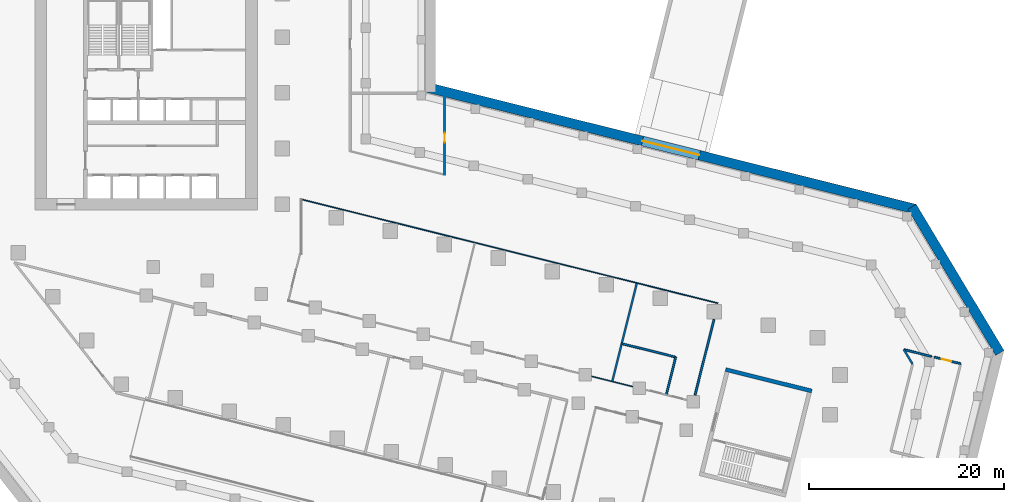
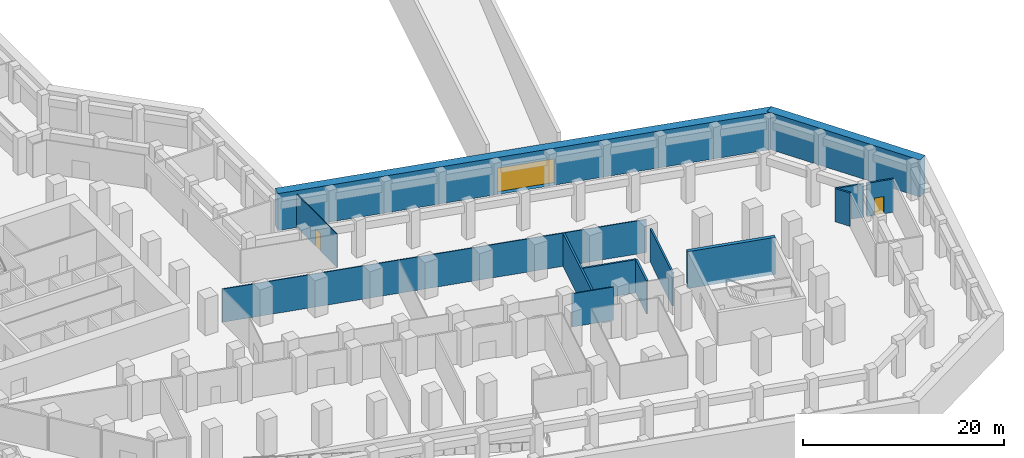
# One storey, part 8 of 14: 13 walls, 3 doors, 3 openings.
"""IFC4 building model written with IfcOpenShell, lengths in metres."""

from ifc_helpers import new_model, si_unit, direction, frame, frame_2d, origin, place, context, subcontext, project, spatial, rectangle, extrude, material, layer, layer_set, type_object, element, fill, save


model = new_model("IFC4")

# Units and contexts
model_context = context("Model", 3, precision=1e-05, world=origin(), true_north=direction((0.0, 1.0)))
body_context = subcontext(model_context, "Body", "Model", "MODEL_VIEW")
ifc_project = project(units=[si_unit("LENGTHUNIT", "METRE"), si_unit("AREAUNIT", "SQUARE_METRE"), si_unit("VOLUMEUNIT", "CUBIC_METRE"), si_unit("PLANEANGLEUNIT", "RADIAN"), si_unit("MASSUNIT", "GRAM", prefix="KILO")], contexts=[model_context])

# Site, building, storey
site_placement = place(None, origin())
site = spatial("IfcSite", under=ifc_project, at=site_placement, CompositionType="ELEMENT")
building_placement = place(site_placement, origin())
building = spatial("IfcBuilding", under=site, at=building_placement, Name="Meshkara Civic Tower", CompositionType="ELEMENT")
storey_placement = place(building_placement, frame((0.0, 0.0, -4.5)))
storey = spatial("IfcBuildingStorey", under=building, at=storey_placement, Name="B1", CompositionType="ELEMENT", Elevation=-4.5)

# Wall
ifc_material_1 = material(Name="Corridor wall 100")
ifc_layer_1 = layer(ifc_material_1, 0.10009765625)
ifc_layer_set_1 = layer_set([ifc_layer_1], Name="Corridor wall 100")
wall_type_1 = type_object("IfcWallType", Name="Corridor wall 100", PredefinedType="PARTITIONING", material=ifc_layer_set_1)
wall_1_placement = place(storey_placement, frame((35.300048828125, 15.212890625, 0.0), z_axis=(0.0, 0.0, 1.0), x_axis=(0.97028659585, -0.241958512796, 0.0)))
element("IfcWall", 1, at=wall_1_placement, inside=storey, type_object=wall_type_1, Name="B1-R053", PredefinedType="PARTITIONING", context=body_context, shape_type="SweptSolid", body=[
    extrude(rectangle(XDim=43.999267578125, YDim=0.10009765625, at=frame_2d((21.99951171875, 0.0))), origin(), (0.0, 0.0, 1.0), 4.050048828125),
])

# Wall, opening, door
wall_2_placement = place(storey_placement, frame((50.0, 26.1708984375, 0.0), z_axis=(0.0, 0.0, 1.0), x_axis=(0.0, -1.0, 0.0)))
wall_2 = element("IfcWall", 2, at=wall_2_placement, inside=storey, type_object=wall_type_1, Name="B1-R064", PredefinedType="PARTITIONING", context=body_context, shape_type="SweptSolid", body=[
    extrude(rectangle(XDim=8.43994140625, YDim=0.10009765625, at=frame_2d((4.219970703125, 0.0))), origin(), (0.0, 0.0, 1.0), 4.050048828125),
])
opening_1_placement = place(wall_2_placement, frame((4.14599609375, 0.0, 0.0)))
opening_1 = element("IfcOpeningElement", 3, at=opening_1_placement, cuts=wall_2, Name="Opening B1-P017", PredefinedType="OPENING", context=body_context, shape_type="SweptSolid", body=[
    extrude(rectangle(XDim=1.0, YDim=2.10009765625, at=frame_2d((0.5, 1.050048828125))), frame((0.0, 0.06005859375, 0.0), z_axis=(0.0, -1.0, 0.0), x_axis=(1.0, 0.0, 0.0)), (0.0, 0.0, 1.0), 0.1201171875),
])
ifc_material_2 = material(Name="Door 1000 x 2100")
door_type_1 = type_object("IfcDoorType", Name="Door 1000 x 2100", OperationType="SINGLE_SWING_LEFT", PredefinedType="DOOR", material=ifc_material_2)
door_1_placement = place(opening_1_placement, origin())
door_1 = element("IfcDoor", 4, at=door_1_placement, inside=storey, type_object=door_type_1, Name="B1-P017", OperationType="SINGLE_SWING_RIGHT", OverallHeight=2.10009765625, OverallWidth=1.0, PredefinedType="DOOR", context=body_context, shape_type="SweptSolid", body=[
    extrude(rectangle(XDim=1.0, YDim=2.10009765625, at=frame_2d((0.5, 1.050048828125))), frame((0.0, 0.02490234375, 0.0), z_axis=(0.0, -1.0, 0.0), x_axis=(1.0, 0.0, 0.0)), (0.0, 0.0, 1.0), 0.050048828125),
])
fill(opening_1, door_1)

# Wall
wall_3_placement = place(storey_placement, frame((65.06494140625, -2.927978515625, 0.0), z_axis=(0.0, 0.0, 1.0), x_axis=(0.970298563138, -0.241910517285, 0.0)))
element("IfcWall", 5, at=wall_3_placement, inside=storey, type_object=wall_type_1, Name="B1-R073", PredefinedType="PARTITIONING", context=body_context, shape_type="SweptSolid", body=[
    extrude(rectangle(XDim=4.3193359375, YDim=0.10009765625, at=frame_2d((2.15966796875, 0.0))), origin(), (0.0, 0.0, 1.0), 4.050048828125),
])

# Wall, opening, door
ifc_material_3 = material(Name="Concrete C50", Category="concrete")
ifc_layer_2 = layer(ifc_material_3, 1.0)
ifc_layer_set_2 = layer_set([ifc_layer_2], Name="Diaphragm wall 1000 C50")
wall_type_2 = type_object("IfcWallType", Name="Diaphragm wall 1000 C50", PredefinedType="SOLIDWALL", material=ifc_layer_set_2)
wall_4_placement = place(storey_placement, frame((48.1708984375, 26.689208984375, 0.0), z_axis=(0.0, 0.0, 1.0), x_axis=(0.970293913122, -0.241929167647, 0.0)))
wall_4 = element("IfcWall", 6, at=wall_4_placement, inside=storey, type_object=wall_type_2, Name="Basement perimeter wall", PredefinedType="SOLIDWALL", context=body_context, shape_type="SweptSolid", body=[
    extrude(rectangle(XDim=51.53271484375, YDim=1.0, at=frame_2d((25.766357421875, 0.0))), origin(), (0.0, 0.0, 1.0), 4.5),
])
opening_2_placement = place(wall_4_placement, frame((22.76611328125, 0.0, 0.0)))
opening_2 = element("IfcOpeningElement", 7, at=opening_2_placement, cuts=wall_4, Name="Opening B1-G001", PredefinedType="OPENING", context=body_context, shape_type="SweptSolid", body=[
    extrude(rectangle(XDim=6.0, YDim=3.199951171875, at=frame_2d((3.0, 1.60009765625))), frame((0.0, 0.510009765625, 0.0), z_axis=(0.0, -1.0, 0.0), x_axis=(1.0, 0.0, 0.0)), (0.0, 0.0, 1.0), 1.02001953125),
])
ifc_material_4 = material(Name="Steel S355", Category="steel")
door_type_2 = type_object("IfcDoorType", Name="VEHICLE SHUTTER 6000x3200", OperationType="ROLLINGUP", PredefinedType="GATE", material=ifc_material_4)
door_2_placement = place(opening_2_placement, origin())
door_2 = element("IfcDoor", 8, at=door_2_placement, inside=storey, type_object=door_type_2, Name="B1-G001", OperationType="ROLLINGUP", OverallHeight=3.199951171875, OverallWidth=6.0, PredefinedType="GATE", context=body_context, shape_type="SweptSolid", body=[
    extrude(rectangle(XDim=6.0, YDim=3.199951171875, at=frame_2d((3.0, 1.60009765625))), frame((0.0, 0.02490234375, 0.0), z_axis=(0.0, -1.0, 0.0), x_axis=(1.0, 0.0, 0.0)), (0.0, 0.0, 1.0), 0.050048828125),
])
fill(opening_2, door_2)

# Walls
wall_5_placement = place(storey_placement, frame((97.865234375, 14.449462890625, 0.0), z_axis=(0.0, 0.0, 1.0), x_axis=(0.515103948809, -0.857127716225, 0.0)))
element("IfcWall", 9, at=wall_5_placement, inside=storey, type_object=wall_type_2, Name="Basement perimeter wall", PredefinedType="SOLIDWALL", context=body_context, shape_type="SweptSolid", body=[
    extrude(rectangle(XDim=17.4697265625, YDim=1.0, at=frame_2d((8.73486328125, 0.0))), origin(), (0.0, 0.0, 1.0), 4.5),
])
ifc_material_5 = material(Name="Concrete C80", Category="concrete")
ifc_layer_3 = layer(ifc_material_5, 0.39990234375)
ifc_layer_set_3 = layer_set([ifc_layer_3], Name="End core ring wall 400 C80")
wall_type_3 = type_object("IfcWallType", Name="End core ring wall 400 C80", PredefinedType="SHEAR", material=ifc_layer_set_3)
wall_6_placement = place(storey_placement, frame((78.77197265625, -2.222900390625, -0.449951171875), z_axis=(0.0, 0.0, 1.0), x_axis=(0.970306400786, -0.241879078453, 0.0)))
element("IfcWall", 10, at=wall_6_placement, inside=storey, type_object=wall_type_3, Name="B1-C031", PredefinedType="SHEAR", context=body_context, shape_type="SweptSolid", body=[
    extrude(rectangle(XDim=9.100341796875, YDim=0.39990234375, at=frame_2d((4.55029296875, 0.0))), origin(), (0.0, 0.0, 1.0), 4.5),
])
ifc_material_6 = material(Name="Fire-rated wall 200")
ifc_layer_4 = layer(ifc_material_6, 0.199951171875)
ifc_layer_set_4 = layer_set([ifc_layer_4], Name="Fire-rated wall 200")
wall_type_4 = type_object("IfcWallType", Name="Fire-rated wall 200", PredefinedType="PARTITIONING", material=ifc_layer_set_4)
wall_7_placement = place(storey_placement, frame((77.5810546875, 2.9169921875, 0.0), z_axis=(0.0, 0.0, 1.0), x_axis=(-0.242040307875, -0.970266195105, 0.0)))
element("IfcWall", 11, at=wall_7_placement, inside=storey, type_object=wall_type_4, Name="B1-R079", PredefinedType="PARTITIONING", context=body_context, shape_type="SweptSolid", body=[
    extrude(rectangle(XDim=8.0029296875, YDim=0.199951171875, at=frame_2d((4.00146484375, 0.0))), origin(), (0.0, 0.0, 1.0), 4.050048828125),
])
wall_8_placement = place(storey_placement, frame((97.031005859375, -0.179931640625, 0.0), z_axis=(0.0, 0.0, 1.0), x_axis=(0.970288896733, -0.241949285754, 0.0)))
element("IfcWall", 12, at=wall_8_placement, inside=storey, type_object=wall_type_4, Name="B1-R081", PredefinedType="PARTITIONING", context=body_context, shape_type="SweptSolid", body=[
    extrude(rectangle(XDim=2.939453125, YDim=0.199951171875, at=frame_2d((1.4697265625, 0.0))), origin(), (0.0, 0.0, 1.0), 4.050048828125),
])
wall_9_placement = place(storey_placement, frame((97.925048828125, -1.6669921875, 0.0), z_axis=(0.0, 0.0, 1.0), x_axis=(-0.515261150265, 0.857033223993, 0.0)))
element("IfcWall", 13, at=wall_9_placement, inside=storey, type_object=wall_type_4, Name="B1-R082", PredefinedType="PARTITIONING", context=body_context, shape_type="SweptSolid", body=[
    extrude(rectangle(XDim=1.735107421875, YDim=0.199951171875, at=frame_2d((0.86767578125, 0.0))), origin(), (0.0, 0.0, 1.0), 4.050048828125),
])

# Wall, opening, door
wall_10_placement = place(storey_placement, frame((100.157958984375, -0.958984375, 0.0), z_axis=(0.0, 0.0, 1.0), x_axis=(0.970266134906, -0.242040549194, 0.0)))
wall_10 = element("IfcWall", 14, at=wall_10_placement, inside=storey, type_object=wall_type_4, Name="B1-R083", PredefinedType="PARTITIONING", context=body_context, shape_type="SweptSolid", body=[
    extrude(rectangle(XDim=2.784912109375, YDim=0.199951171875, at=frame_2d((1.392578125, 0.0))), origin(), (0.0, 0.0, 1.0), 4.050048828125),
])
opening_3_placement = place(wall_10_placement, frame((0.780029296875, 0.0, 0.0)))
opening_3 = element("IfcOpeningElement", 15, at=opening_3_placement, cuts=wall_10, Name="Opening B1-P010", PredefinedType="OPENING", context=body_context, shape_type="SweptSolid", body=[
    extrude(rectangle(XDim=1.0, YDim=2.10009765625, at=frame_2d((0.5, 1.050048828125))), frame((0.0, 0.10986328125, 0.0), z_axis=(0.0, -1.0, 0.0), x_axis=(1.0, 0.0, 0.0)), (0.0, 0.0, 1.0), 0.219970703125),
])
door_3_placement = place(opening_3_placement, origin())
door_3 = element("IfcDoor", 16, at=door_3_placement, inside=storey, type_object=door_type_1, Name="B1-P010", OperationType="SINGLE_SWING_RIGHT", OverallHeight=2.10009765625, OverallWidth=1.0, PredefinedType="DOOR", context=body_context, shape_type="SweptSolid", body=[
    extrude(rectangle(XDim=1.0, YDim=2.10009765625, at=frame_2d((0.5, 1.050048828125))), frame((0.0, 0.02490234375, 0.0), z_axis=(0.0, -1.0, 0.0), x_axis=(1.0, 0.0, 0.0)), (0.0, 0.0, 1.0), 0.050048828125),
])
fill(opening_3, door_3)

# Walls
wall_11_placement = place(storey_placement, frame((67.172119140625, -3.40087890625, 0.0), z_axis=(0.0, 0.0, 1.0), x_axis=(0.241961075032, 0.970285956906, 0.0)))
element("IfcWall", 17, at=wall_11_placement, inside=storey, type_object=wall_type_4, Name="B1-R100", PredefinedType="PARTITIONING", context=body_context, shape_type="SweptSolid", body=[
    extrude(rectangle(XDim=10.298828125, YDim=0.199951171875, at=frame_2d((5.1494140625, 0.0))), origin(), (0.0, 0.0, 1.0), 4.050048828125),
])
wall_12_placement = place(storey_placement, frame((72.702880859375, -4.780029296875, 0.0), z_axis=(0.0, 0.0, 1.0), x_axis=(0.242070161495, 0.970258747404, 0.0)))
element("IfcWall", 18, at=wall_12_placement, inside=storey, type_object=wall_type_4, Name="B1-R101", PredefinedType="PARTITIONING", context=body_context, shape_type="SweptSolid", body=[
    extrude(rectangle(XDim=3.949462890625, YDim=0.199951171875, at=frame_2d((1.974609375, 0.0))), origin(), (0.0, 0.0, 1.0), 4.050048828125),
])
wall_13_placement = place(storey_placement, frame((73.658935546875, -0.947998046875, 0.0), z_axis=(0.0, 0.0, 1.0), x_axis=(-0.970289751225, 0.241945858961, 0.0)))
element("IfcWall", 19, at=wall_13_placement, inside=storey, type_object=wall_type_4, Name="B1-R102", PredefinedType="PARTITIONING", context=body_context, shape_type="SweptSolid", body=[
    extrude(rectangle(XDim=5.64990234375, YDim=0.199951171875, at=frame_2d((2.824951171875, 0.0))), origin(), (0.0, 0.0, 1.0), 4.050048828125),
])

save(model, "model.ifc")
